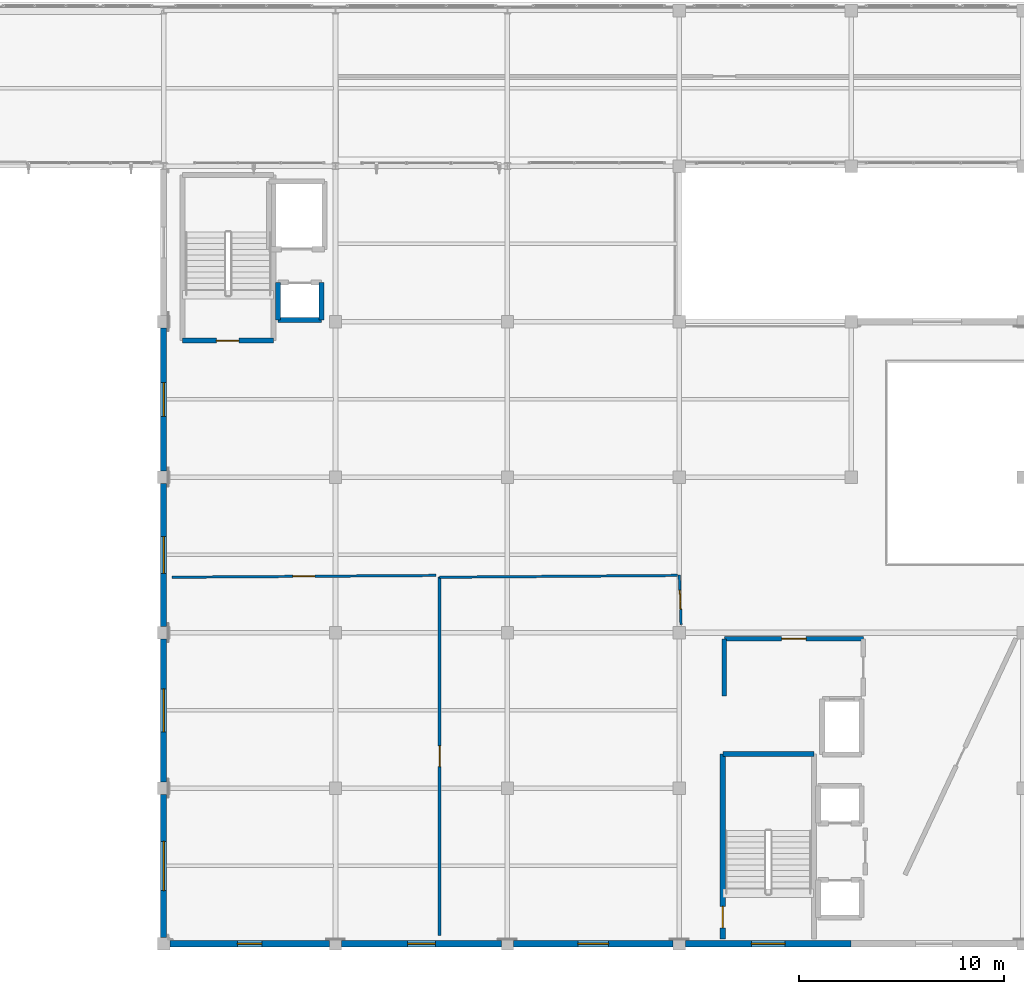
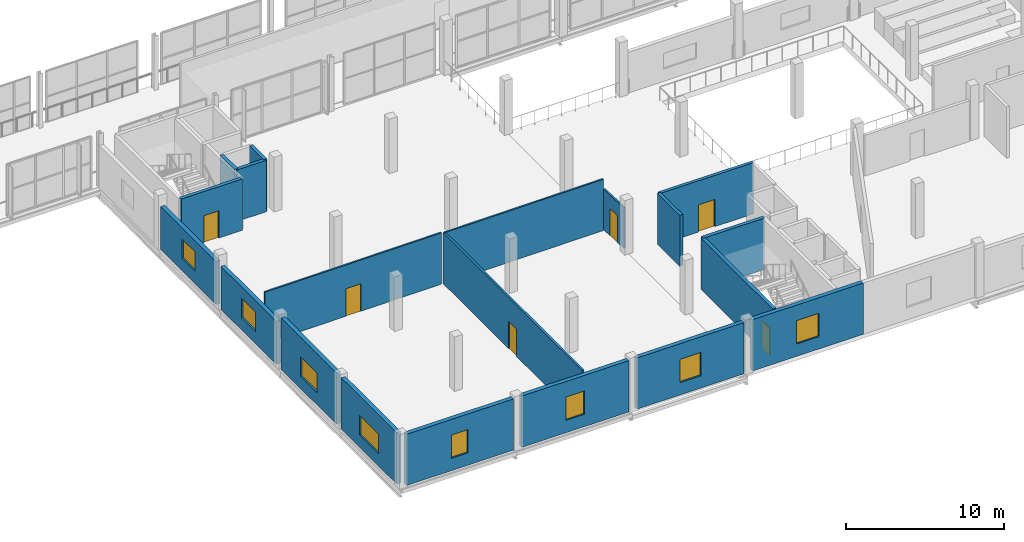
# One storey, part 126 of 151: 20 walls, 8 windows, 6 doors, 14 openings.
"""IFC4 building model written with IfcOpenShell, lengths in metres."""

from ifc_helpers import new_model, si_unit, direction, frame, frame_2d, origin, place, context, subcontext, project, spatial, rectangle, extrude, material, layer, layer_set, type_object, element, fill, save


model = new_model("IFC4")

# Units and contexts
model_context = context("Model", 3, precision=1e-05, world=origin(), true_north=direction((0.0, 1.0)))
body_context = subcontext(model_context, "Body", "Model", "MODEL_VIEW")
ifc_project = project(units=[si_unit("LENGTHUNIT", "METRE"), si_unit("AREAUNIT", "SQUARE_METRE"), si_unit("VOLUMEUNIT", "CUBIC_METRE"), si_unit("PLANEANGLEUNIT", "RADIAN"), si_unit("MASSUNIT", "GRAM", prefix="KILO")], contexts=[model_context])

# Site, building, storey
site_placement = place(None, origin())
site = spatial("IfcSite", under=ifc_project, at=site_placement, CompositionType="ELEMENT")
building_placement = place(site_placement, origin())
building = spatial("IfcBuilding", under=site, at=building_placement, Name="Zuvorla Pavilion Media Centre", CompositionType="ELEMENT")
storey_placement = place(building_placement, frame((0.0, 0.0, 13.800048828125)))
storey = spatial("IfcBuildingStorey", under=building, at=storey_placement, Name="L03", CompositionType="ELEMENT", Elevation=13.800048828125)

# Wall, opening, door
ifc_material_1 = material(Name="Acoustic masonry blockwork C32/40", Category="masonry")
ifc_layer_1 = layer(ifc_material_1, 0.219970703125)
ifc_layer_set_1 = layer_set([ifc_layer_1], Name="Acoustic masonry blockwork C32/40")
wall_type_1 = type_object("IfcWallType", Name="WL-CMP-220", PredefinedType="SOLIDWALL", material=ifc_layer_set_1)
wall_1_placement = place(storey_placement, frame((69.0, 20.89990234375, 0.0), z_axis=(0.0, 0.0, 1.0), x_axis=(1.0, 0.0, 0.0)))
wall_1 = element("IfcWall", 1, at=wall_1_placement, inside=storey, type_object=wall_type_1, Name="L03 solid wall IW22 36", PredefinedType="SOLIDWALL", context=body_context, shape_type="SweptSolid", body=[
    extrude(rectangle(XDim=6.800048828125, YDim=0.219970703125, at=frame_2d((3.39990234375, 0.0))), origin(), (0.0, 0.0, 1.0), 3.949951171875),
])
opening_1_placement = place(wall_1_placement, frame((2.800048828125, 0.0, 0.0)))
opening_1 = element("IfcOpeningElement", 2, at=opening_1_placement, cuts=wall_1, Name="Opening FD06", PredefinedType="OPENING", context=body_context, shape_type="SweptSolid", body=[
    extrude(rectangle(XDim=1.199951171875, YDim=2.10009765625, at=frame_2d((0.60009765625, 1.050048828125))), frame((0.0, 0.119873046875, 0.0), z_axis=(0.0, -1.0, 0.0), x_axis=(1.0, 0.0, 0.0)), (0.0, 0.0, 1.0), 0.239990234375),
])
ifc_material_2 = material(Name="Acoustic timber fire door leaf in steel frame", Category="steel")
door_type_1 = type_object("IfcDoorType", Name="DR-INT-FD06", OperationType="NOTDEFINED", PredefinedType="DOOR", material=ifc_material_2)
door_1_placement = place(opening_1_placement, origin())
door_1 = element("IfcDoor", 3, at=door_1_placement, inside=storey, type_object=door_type_1, Name="Firefighting lobby 1 door FD06 18", OperationType="SINGLE_SWING_LEFT", OverallHeight=2.10009765625, OverallWidth=1.199951171875, PredefinedType="DOOR", context=body_context, shape_type="SweptSolid", body=[
    extrude(rectangle(XDim=1.199951171875, YDim=2.10009765625, at=frame_2d((0.60009765625, 1.050048828125))), frame((0.0, 0.02490234375, 0.0), z_axis=(0.0, -1.0, 0.0), x_axis=(1.0, 0.0, 0.0)), (0.0, 0.0, 1.0), 0.050048828125),
])
fill(opening_1, door_1)

# Wall
wall_2_placement = place(storey_placement, frame((69.0, 18.10009765625, 0.0), z_axis=(0.0, 0.0, 1.0), x_axis=(0.0, 1.0, 0.0)))
element("IfcWall", 4, at=wall_2_placement, inside=storey, type_object=wall_type_1, Name="L03 solid wall IW22 37", PredefinedType="SOLIDWALL", context=body_context, shape_type="SweptSolid", body=[
    extrude(rectangle(XDim=2.7998046875, YDim=0.219970703125, at=frame_2d((1.39990234375, 0.0))), origin(), (0.0, 0.0, 1.0), 3.949951171875),
])

# Wall, opening, door
ifc_material_3 = material(Name="Concrete C40/50", Category="concrete")
ifc_layer_2 = layer(ifc_material_3, 0.25)
ifc_layer_set_2 = layer_set([ifc_layer_2], Name="Concrete C40/50")
wall_type_2 = type_object("IfcWallType", Name="WL-COR-250", PredefinedType="SHEAR", material=ifc_layer_set_2)
wall_3_placement = place(storey_placement, frame((68.925048828125, 6.22509765625, 0.0), z_axis=(0.0, 0.0, 1.0), x_axis=(0.0, 1.0, 0.0)))
wall_3 = element("IfcWall", 5, at=wall_3_placement, inside=storey, type_object=wall_type_2, Name="L03 shear wall CW25 33", PredefinedType="SHEAR", context=body_context, shape_type="SweptSolid", body=[
    extrude(rectangle(XDim=9.0498046875, YDim=0.25, at=frame_2d((4.52490234375, 0.0))), origin(), (0.0, 0.0, 1.0), 3.9599609375),
])
opening_2_placement = place(wall_3_placement, frame((0.550048828125, 0.0, 0.0)))
opening_2 = element("IfcOpeningElement", 6, at=opening_2_placement, cuts=wall_3, Name="Opening FD04", PredefinedType="OPENING", context=body_context, shape_type="SweptSolid", body=[
    extrude(rectangle(XDim=1.050048828125, YDim=2.10009765625, at=frame_2d((0.52490234375, 1.050048828125))), frame((0.0, 0.135009765625, 0.0), z_axis=(0.0, -1.0, 0.0), x_axis=(1.0, 0.0, 0.0)), (0.0, 0.0, 1.0), 0.27001953125),
])
door_type_2 = type_object("IfcDoorType", Name="DR-INT-FD04", OperationType="NOTDEFINED", PredefinedType="DOOR", material=ifc_material_2)
door_2_placement = place(opening_2_placement, origin())
door_2 = element("IfcDoor", 7, at=door_2_placement, inside=storey, type_object=door_type_2, Name="Stair ST-01 fire door FD04 17", OperationType="SINGLE_SWING_LEFT", OverallHeight=2.10009765625, OverallWidth=1.050048828125, PredefinedType="DOOR", context=body_context, shape_type="SweptSolid", body=[
    extrude(rectangle(XDim=1.050048828125, YDim=2.10009765625, at=frame_2d((0.52490234375, 1.050048828125))), frame((0.0, 0.02490234375, 0.0), z_axis=(0.0, -1.0, 0.0), x_axis=(1.0, 0.0, 0.0)), (0.0, 0.0, 1.0), 0.050048828125),
])
fill(opening_2, door_2)

# Wall
wall_4_placement = place(storey_placement, frame((68.925048828125, 15.27490234375, 0.0), z_axis=(0.0, 0.0, 1.0), x_axis=(1.0, 0.0, 0.0)))
element("IfcWall", 8, at=wall_4_placement, inside=storey, type_object=wall_type_2, Name="L03 shear wall CW25 35", PredefinedType="SHEAR", context=body_context, shape_type="SweptSolid", body=[
    extrude(rectangle(XDim=4.449951171875, YDim=0.25, at=frame_2d((2.22509765625, 0.0))), origin(), (0.0, 0.0, 1.0), 3.9599609375),
])

# Wall, opening, door
wall_5_placement = place(storey_placement, frame((42.52490234375, 35.47509765625, 0.0), z_axis=(0.0, 0.0, 1.0), x_axis=(1.0, 0.0, 0.0)))
wall_5 = element("IfcWall", 9, at=wall_5_placement, inside=storey, type_object=wall_type_2, Name="L03 shear wall CW25 256", PredefinedType="SHEAR", context=body_context, shape_type="SweptSolid", body=[
    extrude(rectangle(XDim=4.4501953125, YDim=0.25, at=frame_2d((2.22509765625, 0.0))), origin(), (0.0, 0.0, 1.0), 3.9599609375),
])
opening_3_placement = place(wall_5_placement, frame((1.64990234375, 0.0, 0.0)))
opening_3 = element("IfcOpeningElement", 10, at=opening_3_placement, cuts=wall_5, Name="Opening FD05", PredefinedType="OPENING", context=body_context, shape_type="SweptSolid", body=[
    extrude(rectangle(XDim=1.10009765625, YDim=2.10009765625, at=frame_2d((0.550048828125, 1.050048828125))), frame((0.0, 0.135009765625, 0.0), z_axis=(0.0, -1.0, 0.0), x_axis=(1.0, 0.0, 0.0)), (0.0, 0.0, 1.0), 0.27001953125),
])
door_type_3 = type_object("IfcDoorType", Name="DR-INT-FD05", OperationType="NOTDEFINED", PredefinedType="DOOR", material=ifc_material_2)
door_3_placement = place(opening_3_placement, frame((1.10009765625, 0.0, 0.0), z_axis=(0.0, 0.0, 1.0), x_axis=(-1.0, 0.0, 0.0)))
door_3 = element("IfcDoor", 11, at=door_3_placement, inside=storey, type_object=door_type_3, Name="Stair ST-03 fire door FD05 93", OperationType="SINGLE_SWING_RIGHT", OverallHeight=2.10009765625, OverallWidth=1.10009765625, PredefinedType="DOOR", context=body_context, shape_type="SweptSolid", body=[
    extrude(rectangle(XDim=1.10009765625, YDim=2.10009765625, at=frame_2d((0.550048828125, 1.050048828125))), frame((0.0, 0.02490234375, 0.0), z_axis=(0.0, -1.0, 0.0), x_axis=(1.0, 0.0, 0.0)), (0.0, 0.0, 1.0), 0.050048828125),
])
fill(opening_3, door_3)

# Walls
wall_6_placement = place(storey_placement, frame((47.18994140625, 36.489990234375, 0.0), z_axis=(0.0, 0.0, 1.0), x_axis=(1.0, 0.0, 0.0)))
element("IfcWall", 12, at=wall_6_placement, inside=storey, type_object=wall_type_2, Name="L03 shear wall CW25 277", PredefinedType="SHEAR", context=body_context, shape_type="SweptSolid", body=[
    extrude(rectangle(XDim=2.1201171875, YDim=0.25, at=frame_2d((1.06005859375, 0.0))), origin(), (0.0, 0.0, 1.0), 3.9599609375),
])
for number, where, z_axis, x_axis, name in (
    (13, (47.18994140625, 36.489990234375, 0.0), (0.0, 0.0, 1.0), (0.0, 1.0, 0.0), "L03 shear wall CW25 279"),
    (14, (49.31005859375, 36.489990234375, 0.0), (0.0, 0.0, 1.0), (0.0, 1.0, 0.0), "L03 shear wall CW25 280"),
):
    element("IfcWall", number, at=place(storey_placement, frame(where, z_axis=z_axis, x_axis=x_axis)), inside=storey, type_object=wall_type_2, Name=name, PredefinedType="SHEAR", context=body_context, shape_type="SweptSolid", body=[
        extrude(rectangle(XDim=1.820068359375, YDim=0.25, at=frame_2d((0.91015625, 0.0))), origin(), (0.0, 0.0, 1.0), 3.9599609375),
    ])

# Wall, opening, window
ifc_material_4 = material(Name="White rendered concrete C32/40", Category="concrete")
ifc_layer_3 = layer(ifc_material_4, 0.300048828125)
ifc_layer_set_3 = layer_set([ifc_layer_3], Name="White rendered concrete C32/40")
wall_type_3 = type_object("IfcWallType", Name="WL-EXT-300", PredefinedType="SOLIDWALL", material=ifc_layer_set_3)
wall_7_placement = place(storey_placement, frame((41.60009765625, 36.10009765625, 0.0), z_axis=(0.0, 0.0, 1.0), x_axis=(0.0, -1.0, 0.0)))
wall_7 = element("IfcWall", 15, at=wall_7_placement, inside=storey, type_object=wall_type_3, Name="L03 exterior solid wall EW03 238", PredefinedType="SOLIDWALL", context=body_context, shape_type="SweptSolid", body=[
    extrude(rectangle(XDim=7.0, YDim=0.300048828125, at=frame_2d((3.5, 0.0))), origin(), (0.0, 0.0, 1.0), 3.314697265625),
])
opening_4_placement = place(wall_7_placement, frame((2.675048828125, 0.0, 0.949951171875)))
opening_4 = element("IfcOpeningElement", 16, at=opening_4_placement, cuts=wall_7, Name="Opening WN04", PredefinedType="OPENING", context=body_context, shape_type="SweptSolid", body=[
    extrude(rectangle(XDim=1.64990234375, YDim=1.5, at=frame_2d((0.824951171875, 0.75))), frame((0.0, 0.159912109375, 0.0), z_axis=(0.0, -1.0, 0.0), x_axis=(1.0, 0.0, 0.0)), (0.0, 0.0, 1.0), 0.320068359375),
])
ifc_material_5 = material(Name="Anodised aluminium frame with solar double glazing", Category="aluminium")
window_type_1 = type_object("IfcWindowType", Name="WIN-WN04", PartitioningType="SINGLE_PANEL", PredefinedType="WINDOW", material=ifc_material_5)
window_1_placement = place(opening_4_placement, origin())
window_1 = element("IfcWindow", 17, at=window_1_placement, inside=storey, type_object=window_type_1, Name="L03 window WN04 88", OverallHeight=1.5, OverallWidth=1.64990234375, PartitioningType="SINGLE_PANEL", PredefinedType="WINDOW", context=body_context, shape_type="SweptSolid", body=[
    extrude(rectangle(XDim=1.64990234375, YDim=1.5, at=frame_2d((0.824951171875, 0.75))), frame((0.0, 0.030029296875, 0.0), z_axis=(0.0, -1.0, 0.0), x_axis=(1.0, 0.0, 0.0)), (0.0, 0.0, 1.0), 0.06005859375),
])
fill(opening_4, window_1)

wall_8_placement = place(storey_placement, frame((41.60009765625, 28.5, 0.0), z_axis=(0.0, 0.0, 1.0), x_axis=(0.0, -1.0, 0.0)))
wall_8 = element("IfcWall", 18, at=wall_8_placement, inside=storey, type_object=wall_type_3, Name="L03 exterior solid wall EW03 239", PredefinedType="SOLIDWALL", context=body_context, shape_type="SweptSolid", body=[
    extrude(rectangle(XDim=7.0, YDim=0.300048828125, at=frame_2d((3.5, 0.0))), origin(), (0.0, 0.0, 1.0), 3.314697265625),
])
opening_5_placement = place(wall_8_placement, frame((2.60009765625, 0.0, 0.949951171875)))
opening_5 = element("IfcOpeningElement", 19, at=opening_5_placement, cuts=wall_8, Name="Opening WN05", PredefinedType="OPENING", context=body_context, shape_type="SweptSolid", body=[
    extrude(rectangle(XDim=1.800048828125, YDim=1.5, at=frame_2d((0.89990234375, 0.75))), frame((0.0, 0.159912109375, 0.0), z_axis=(0.0, -1.0, 0.0), x_axis=(1.0, 0.0, 0.0)), (0.0, 0.0, 1.0), 0.320068359375),
])
window_type_2 = type_object("IfcWindowType", Name="WIN-WN05", PartitioningType="DOUBLE_PANEL_VERTICAL", PredefinedType="WINDOW", material=ifc_material_5)
window_2_placement = place(opening_5_placement, origin())
window_2 = element("IfcWindow", 20, at=window_2_placement, inside=storey, type_object=window_type_2, Name="L03 window WN05 89", OverallHeight=1.5, OverallWidth=1.800048828125, PartitioningType="DOUBLE_PANEL_VERTICAL", PredefinedType="WINDOW", context=body_context, shape_type="SweptSolid", body=[
    extrude(rectangle(XDim=1.800048828125, YDim=1.5, at=frame_2d((0.89990234375, 0.75))), frame((0.0, 0.030029296875, 0.0), z_axis=(0.0, -1.0, 0.0), x_axis=(1.0, 0.0, 0.0)), (0.0, 0.0, 1.0), 0.06005859375),
])
fill(opening_5, window_2)

wall_9_placement = place(storey_placement, frame((41.60009765625, 20.89990234375, 0.0), z_axis=(0.0, 0.0, 1.0), x_axis=(0.0, -1.0, 0.0)))
wall_9 = element("IfcWall", 21, at=wall_9_placement, inside=storey, type_object=wall_type_3, Name="L03 exterior solid wall EW03 240", PredefinedType="SOLIDWALL", context=body_context, shape_type="SweptSolid", body=[
    extrude(rectangle(XDim=7.0, YDim=0.300048828125, at=frame_2d((3.5, 0.0))), origin(), (0.0, 0.0, 1.0), 3.949951171875),
])
opening_6_placement = place(wall_9_placement, frame((2.449951171875, 0.0, 0.949951171875)))
opening_6 = element("IfcOpeningElement", 22, at=opening_6_placement, cuts=wall_9, Name="Opening WN06", PredefinedType="OPENING", context=body_context, shape_type="SweptSolid", body=[
    extrude(rectangle(XDim=2.10009765625, YDim=1.5, at=frame_2d((1.050048828125, 0.75))), frame((0.0, 0.159912109375, 0.0), z_axis=(0.0, -1.0, 0.0), x_axis=(1.0, 0.0, 0.0)), (0.0, 0.0, 1.0), 0.320068359375),
])
window_type_3 = type_object("IfcWindowType", Name="WIN-WN06", PartitioningType="DOUBLE_PANEL_VERTICAL", PredefinedType="WINDOW", material=ifc_material_5)
window_3_placement = place(opening_6_placement, origin())
window_3 = element("IfcWindow", 23, at=window_3_placement, inside=storey, type_object=window_type_3, Name="L03 window WN06 90", OverallHeight=1.5, OverallWidth=2.10009765625, PartitioningType="DOUBLE_PANEL_VERTICAL", PredefinedType="WINDOW", context=body_context, shape_type="SweptSolid", body=[
    extrude(rectangle(XDim=2.10009765625, YDim=1.5, at=frame_2d((1.050048828125, 0.75))), frame((0.0, 0.030029296875, 0.0), z_axis=(0.0, -1.0, 0.0), x_axis=(1.0, 0.0, 0.0)), (0.0, 0.0, 1.0), 0.06005859375),
])
fill(opening_6, window_3)

wall_10_placement = place(storey_placement, frame((41.60009765625, 13.300048828125, 0.0), z_axis=(0.0, 0.0, 1.0), x_axis=(0.0, -1.0, 0.0)))
wall_10 = element("IfcWall", 24, at=wall_10_placement, inside=storey, type_object=wall_type_3, Name="L03 exterior solid wall EW03 241", PredefinedType="SOLIDWALL", context=body_context, shape_type="SweptSolid", body=[
    extrude(rectangle(XDim=7.0, YDim=0.300048828125, at=frame_2d((3.5, 0.0))), origin(), (0.0, 0.0, 1.0), 3.949951171875),
])
opening_7_placement = place(wall_10_placement, frame((2.300048828125, 0.0, 0.949951171875)))
opening_7 = element("IfcOpeningElement", 25, at=opening_7_placement, cuts=wall_10, Name="Opening WN07", PredefinedType="OPENING", context=body_context, shape_type="SweptSolid", body=[
    extrude(rectangle(XDim=2.39990234375, YDim=1.5, at=frame_2d((1.199951171875, 0.75))), frame((0.0, 0.159912109375, 0.0), z_axis=(0.0, -1.0, 0.0), x_axis=(1.0, 0.0, 0.0)), (0.0, 0.0, 1.0), 0.320068359375),
])
window_type_4 = type_object("IfcWindowType", Name="WIN-WN07", PartitioningType="DOUBLE_PANEL_VERTICAL", PredefinedType="WINDOW", material=ifc_material_5)
window_4_placement = place(opening_7_placement, origin())
window_4 = element("IfcWindow", 26, at=window_4_placement, inside=storey, type_object=window_type_4, Name="L03 window WN07 91", OverallHeight=1.5, OverallWidth=2.39990234375, PartitioningType="DOUBLE_PANEL_VERTICAL", PredefinedType="WINDOW", context=body_context, shape_type="SweptSolid", body=[
    extrude(rectangle(XDim=2.39990234375, YDim=1.5, at=frame_2d((1.199951171875, 0.75))), frame((0.0, 0.030029296875, 0.0), z_axis=(0.0, -1.0, 0.0), x_axis=(1.0, 0.0, 0.0)), (0.0, 0.0, 1.0), 0.06005859375),
])
fill(opening_7, window_4)

wall_11_placement = place(storey_placement, frame((41.89990234375, 6.0, 0.0), z_axis=(0.0, 0.0, 1.0), x_axis=(1.0, 0.0, 0.0)))
wall_11 = element("IfcWall", 27, at=wall_11_placement, inside=storey, type_object=wall_type_3, Name="L03 exterior solid wall EW03 242", PredefinedType="SOLIDWALL", context=body_context, shape_type="SweptSolid", body=[
    extrude(rectangle(XDim=7.800048828125, YDim=0.300048828125, at=frame_2d((3.89990234375, 0.0))), origin(), (0.0, 0.0, 1.0), 3.949951171875),
])
opening_8_placement = place(wall_11_placement, frame((3.300048828125, 0.0, 0.949951171875)))
opening_8 = element("IfcOpeningElement", 28, at=opening_8_placement, cuts=wall_11, Name="Opening WN08", PredefinedType="OPENING", context=body_context, shape_type="SweptSolid", body=[
    extrude(rectangle(XDim=1.199951171875, YDim=1.800048828125, at=frame_2d((0.60009765625, 0.89990234375))), frame((0.0, 0.159912109375, 0.0), z_axis=(0.0, -1.0, 0.0), x_axis=(1.0, 0.0, 0.0)), (0.0, 0.0, 1.0), 0.320068359375),
])
window_type_5 = type_object("IfcWindowType", Name="WIN-WN08", PartitioningType="SINGLE_PANEL", PredefinedType="WINDOW", material=ifc_material_5)
window_5_placement = place(opening_8_placement, origin())
window_5 = element("IfcWindow", 29, at=window_5_placement, inside=storey, type_object=window_type_5, Name="L03 window WN08 92", OverallHeight=1.800048828125, OverallWidth=1.199951171875, PartitioningType="SINGLE_PANEL", PredefinedType="WINDOW", context=body_context, shape_type="SweptSolid", body=[
    extrude(rectangle(XDim=1.199951171875, YDim=1.800048828125, at=frame_2d((0.60009765625, 0.89990234375))), frame((0.0, 0.030029296875, 0.0), z_axis=(0.0, -1.0, 0.0), x_axis=(1.0, 0.0, 0.0)), (0.0, 0.0, 1.0), 0.06005859375),
])
fill(opening_8, window_5)

wall_12_placement = place(storey_placement, frame((50.300048828125, 6.0, 0.0), z_axis=(0.0, 0.0, 1.0), x_axis=(1.0, 0.0, 0.0)))
wall_12 = element("IfcWall", 30, at=wall_12_placement, inside=storey, type_object=wall_type_3, Name="L03 exterior solid wall EW03 243", PredefinedType="SOLIDWALL", context=body_context, shape_type="SweptSolid", body=[
    extrude(rectangle(XDim=7.800048828125, YDim=0.300048828125, at=frame_2d((3.89990234375, 0.0))), origin(), (0.0, 0.0, 1.0), 3.949951171875),
])
opening_9_placement = place(wall_12_placement, frame((3.22509765625, 0.0, 0.949951171875)))
opening_9 = element("IfcOpeningElement", 31, at=opening_9_placement, cuts=wall_12, Name="Opening WN09", PredefinedType="OPENING", context=body_context, shape_type="SweptSolid", body=[
    extrude(rectangle(XDim=1.35009765625, YDim=1.800048828125, at=frame_2d((0.675048828125, 0.89990234375))), frame((0.0, 0.159912109375, 0.0), z_axis=(0.0, -1.0, 0.0), x_axis=(1.0, 0.0, 0.0)), (0.0, 0.0, 1.0), 0.320068359375),
])
window_type_6 = type_object("IfcWindowType", Name="WIN-WN09", PartitioningType="SINGLE_PANEL", PredefinedType="WINDOW", material=ifc_material_5)
window_6_placement = place(opening_9_placement, origin())
window_6 = element("IfcWindow", 32, at=window_6_placement, inside=storey, type_object=window_type_6, Name="L03 window WN09 93", OverallHeight=1.800048828125, OverallWidth=1.35009765625, PartitioningType="SINGLE_PANEL", PredefinedType="WINDOW", context=body_context, shape_type="SweptSolid", body=[
    extrude(rectangle(XDim=1.35009765625, YDim=1.800048828125, at=frame_2d((0.675048828125, 0.89990234375))), frame((0.0, 0.030029296875, 0.0), z_axis=(0.0, -1.0, 0.0), x_axis=(1.0, 0.0, 0.0)), (0.0, 0.0, 1.0), 0.06005859375),
])
fill(opening_9, window_6)

wall_13_placement = place(storey_placement, frame((58.699951171875, 6.0, 0.0), z_axis=(0.0, 0.0, 1.0), x_axis=(1.0, 0.0, 0.0)))
wall_13 = element("IfcWall", 33, at=wall_13_placement, inside=storey, type_object=wall_type_3, Name="L03 exterior solid wall EW03 244", PredefinedType="SOLIDWALL", context=body_context, shape_type="SweptSolid", body=[
    extrude(rectangle(XDim=7.800048828125, YDim=0.300048828125, at=frame_2d((3.89990234375, 0.0))), origin(), (0.0, 0.0, 1.0), 3.949951171875),
])
opening_10_placement = place(wall_13_placement, frame((3.14990234375, 0.0, 0.949951171875)))
opening_10 = element("IfcOpeningElement", 34, at=opening_10_placement, cuts=wall_13, Name="Opening WN10", PredefinedType="OPENING", context=body_context, shape_type="SweptSolid", body=[
    extrude(rectangle(XDim=1.5, YDim=1.800048828125, at=frame_2d((0.75, 0.89990234375))), frame((0.0, 0.159912109375, 0.0), z_axis=(0.0, -1.0, 0.0), x_axis=(1.0, 0.0, 0.0)), (0.0, 0.0, 1.0), 0.320068359375),
])
window_type_7 = type_object("IfcWindowType", Name="WIN-WN10", PartitioningType="SINGLE_PANEL", PredefinedType="WINDOW", material=ifc_material_5)
window_7_placement = place(opening_10_placement, origin())
window_7 = element("IfcWindow", 35, at=window_7_placement, inside=storey, type_object=window_type_7, Name="L03 window WN10 94", OverallHeight=1.800048828125, OverallWidth=1.5, PartitioningType="SINGLE_PANEL", PredefinedType="WINDOW", context=body_context, shape_type="SweptSolid", body=[
    extrude(rectangle(XDim=1.5, YDim=1.800048828125, at=frame_2d((0.75, 0.89990234375))), frame((0.0, 0.030029296875, 0.0), z_axis=(0.0, -1.0, 0.0), x_axis=(1.0, 0.0, 0.0)), (0.0, 0.0, 1.0), 0.06005859375),
])
fill(opening_10, window_7)

wall_14_placement = place(storey_placement, frame((67.10009765625, 6.0, 0.0), z_axis=(0.0, 0.0, 1.0), x_axis=(1.0, 0.0, 0.0)))
wall_14 = element("IfcWall", 36, at=wall_14_placement, inside=storey, type_object=wall_type_3, Name="L03 exterior solid wall EW03 245", PredefinedType="SOLIDWALL", context=body_context, shape_type="SweptSolid", body=[
    extrude(rectangle(XDim=8.099853515625, YDim=0.300048828125, at=frame_2d((4.0498046875, 0.0))), origin(), (0.0, 0.0, 1.0), 3.949951171875),
])
opening_11_placement = place(wall_14_placement, frame((3.22509765625, 0.0, 0.949951171875)))
opening_11 = element("IfcOpeningElement", 37, at=opening_11_placement, cuts=wall_14, Name="Opening WN11", PredefinedType="OPENING", context=body_context, shape_type="SweptSolid", body=[
    extrude(rectangle(XDim=1.64990234375, YDim=1.800048828125, at=frame_2d((0.824951171875, 0.89990234375))), frame((0.0, 0.159912109375, 0.0), z_axis=(0.0, -1.0, 0.0), x_axis=(1.0, 0.0, 0.0)), (0.0, 0.0, 1.0), 0.320068359375),
])
window_type_8 = type_object("IfcWindowType", Name="WIN-WN11", PartitioningType="SINGLE_PANEL", PredefinedType="WINDOW", material=ifc_material_5)
window_8_placement = place(opening_11_placement, origin())
window_8 = element("IfcWindow", 38, at=window_8_placement, inside=storey, type_object=window_type_8, Name="L03 window WN11 95", OverallHeight=1.800048828125, OverallWidth=1.64990234375, PartitioningType="SINGLE_PANEL", PredefinedType="WINDOW", context=body_context, shape_type="SweptSolid", body=[
    extrude(rectangle(XDim=1.64990234375, YDim=1.800048828125, at=frame_2d((0.824951171875, 0.89990234375))), frame((0.0, 0.030029296875, 0.0), z_axis=(0.0, -1.0, 0.0), x_axis=(1.0, 0.0, 0.0)), (0.0, 0.0, 1.0), 0.06005859375),
])
fill(opening_11, window_8)

# Wall, opening, door
ifc_material_6 = material(Name="Lightweight gypsum partition")
ifc_layer_4 = layer(ifc_material_6, 0.1201171875)
ifc_layer_set_4 = layer_set([ifc_layer_4], Name="Lightweight gypsum partition")
wall_type_4 = type_object("IfcWallType", Name="WL-PRT-120", PredefinedType="PARTITIONING", material=ifc_layer_set_4)
wall_15_placement = place(storey_placement, frame((66.88720703125, 21.590087890625, 0.0), z_axis=(0.0, 0.0, 1.0), x_axis=(-0.03474937555, 0.999396058077, 0.0)))
wall_15 = element("IfcWall", 39, at=wall_15_placement, inside=storey, type_object=wall_type_4, Name="L03 partition PT12 524", PredefinedType="PARTITIONING", context=body_context, shape_type="SweptSolid", body=[
    extrude(rectangle(XDim=2.430908203125, YDim=0.1201171875, at=frame_2d((1.21533203125, 0.0))), origin(), (0.0, 0.0, 1.0), 3.134765625),
])
opening_12_placement = place(wall_15_placement, frame((0.755615234375, 0.0, 0.0)))
opening_12 = element("IfcOpeningElement", 40, at=opening_12_placement, cuts=wall_15, Name="Opening ID02", PredefinedType="OPENING", context=body_context, shape_type="SweptSolid", body=[
    extrude(rectangle(XDim=0.919921875, YDim=2.080078125, at=frame_2d((0.4599609375, 1.0400390625))), frame((0.0, 0.070068359375, 0.0), z_axis=(0.0, -1.0, 0.0), x_axis=(1.0, 0.0, 0.0)), (0.0, 0.0, 1.0), 0.14013671875),
])
ifc_material_7 = material(Name="Hardwood acoustic studio door in anodised frame", Category="wood")
door_type_4 = type_object("IfcDoorType", Name="DR-UNR-ID02", OperationType="NOTDEFINED", PredefinedType="DOOR", material=ifc_material_7)
door_4_placement = place(opening_12_placement, origin())
door_4 = element("IfcDoor", 41, at=door_4_placement, inside=storey, type_object=door_type_4, Name="Interior door ID02 224", OperationType="SINGLE_SWING_LEFT", OverallHeight=2.080078125, OverallWidth=0.919921875, PredefinedType="DOOR", context=body_context, shape_type="SweptSolid", body=[
    extrude(rectangle(XDim=0.919921875, YDim=2.080078125, at=frame_2d((0.4599609375, 1.0400390625))), frame((0.0, 0.02490234375, 0.0), z_axis=(0.0, -1.0, 0.0), x_axis=(1.0, 0.0, 0.0)), (0.0, 0.0, 1.0), 0.050048828125),
])
fill(opening_12, door_4)

wall_16_placement = place(storey_placement, frame((42.0, 23.909912109375, 0.0), z_axis=(0.0, 0.0, 1.0), x_axis=(0.999975916479, 0.006940206156, 0.0)))
wall_16 = element("IfcWall", 42, at=wall_16_placement, inside=storey, type_object=wall_type_4, Name="L03 partition PT12 537", PredefinedType="PARTITIONING", context=body_context, shape_type="SweptSolid", body=[
    extrude(rectangle(XDim=12.91015625, YDim=0.1201171875, at=frame_2d((6.455078125, 0.0))), origin(), (0.0, 0.0, 1.0), 3.949951171875),
])
opening_13_placement = place(wall_16_placement, frame((5.915283203125, 0.0, 0.0)))
opening_13 = element("IfcOpeningElement", 43, at=opening_13_placement, cuts=wall_16, Name="Opening ID05", PredefinedType="OPENING", context=body_context, shape_type="SweptSolid", body=[
    extrude(rectangle(XDim=1.080078125, YDim=2.1201171875, at=frame_2d((0.5400390625, 1.06005859375))), frame((0.0, 0.070068359375, 0.0), z_axis=(0.0, -1.0, 0.0), x_axis=(1.0, 0.0, 0.0)), (0.0, 0.0, 1.0), 0.14013671875),
])
door_type_5 = type_object("IfcDoorType", Name="DR-UNR-ID05", OperationType="NOTDEFINED", PredefinedType="DOOR", material=ifc_material_7)
door_5_placement = place(opening_13_placement, origin())
door_5 = element("IfcDoor", 44, at=door_5_placement, inside=storey, type_object=door_type_5, Name="Interior door ID05 237", OperationType="SINGLE_SWING_RIGHT", OverallHeight=2.1201171875, OverallWidth=1.080078125, PredefinedType="DOOR", context=body_context, shape_type="SweptSolid", body=[
    extrude(rectangle(XDim=1.080078125, YDim=2.1201171875, at=frame_2d((0.5400390625, 1.06005859375))), frame((0.0, 0.02490234375, 0.0), z_axis=(0.0, -1.0, 0.0), x_axis=(1.0, 0.0, 0.0)), (0.0, 0.0, 1.0), 0.050048828125),
])
fill(opening_13, door_5)

# Wall
wall_17_placement = place(storey_placement, frame((55.080078125, 23.909423828125, 0.0), z_axis=(0.0, 0.0, 1.0), x_axis=(0.999969999215, 0.007746009944, 0.0)))
element("IfcWall", 45, at=wall_17_placement, inside=storey, type_object=wall_type_4, Name="L03 partition PT12 542", PredefinedType="PARTITIONING", context=body_context, shape_type="SweptSolid", body=[
    extrude(rectangle(XDim=11.630126953125, YDim=0.1201171875, at=frame_2d((5.81494140625, 0.0))), origin(), (0.0, 0.0, 1.0), 3.949951171875),
])

# Wall, opening, door
ifc_material_8 = material(Name="Acoustic gypsum stud partition")
ifc_layer_5 = layer(ifc_material_8, 0.14990234375)
ifc_layer_set_5 = layer_set([ifc_layer_5], Name="Acoustic gypsum stud partition")
wall_type_5 = type_object("IfcWallType", Name="WL-PRT-150", PredefinedType="PARTITIONING", material=ifc_layer_set_5)
wall_18_placement = place(storey_placement, frame((55.090087890625, 6.39990234375, 0.0), z_axis=(0.0, 0.0, 1.0), x_axis=(0.0, 1.0, 0.0)))
wall_18 = element("IfcWall", 46, at=wall_18_placement, inside=storey, type_object=wall_type_5, Name="L03 partition PT15 536", PredefinedType="PARTITIONING", context=body_context, shape_type="SweptSolid", body=[
    extrude(rectangle(XDim=17.52001953125, YDim=0.14990234375, at=frame_2d((8.760009765625, 0.0))), origin(), (0.0, 0.0, 1.0), 3.949951171875),
])
opening_14_placement = place(wall_18_placement, frame((8.25, 0.0, 0.0)))
opening_14 = element("IfcOpeningElement", 47, at=opening_14_placement, cuts=wall_18, Name="Opening ID04", PredefinedType="OPENING", context=body_context, shape_type="SweptSolid", body=[
    extrude(rectangle(XDim=1.02001953125, YDim=2.1201171875, at=frame_2d((0.510009765625, 1.06005859375))), frame((0.0, 0.0849609375, 0.0), z_axis=(0.0, -1.0, 0.0), x_axis=(1.0, 0.0, 0.0)), (0.0, 0.0, 1.0), 0.169921875),
])
door_type_6 = type_object("IfcDoorType", Name="DR-UNR-ID04", OperationType="NOTDEFINED", PredefinedType="DOOR", material=ifc_material_7)
door_6_placement = place(opening_14_placement, origin())
door_6 = element("IfcDoor", 48, at=door_6_placement, inside=storey, type_object=door_type_6, Name="Interior door ID04 236", OperationType="SINGLE_SWING_LEFT", OverallHeight=2.1201171875, OverallWidth=1.02001953125, PredefinedType="DOOR", context=body_context, shape_type="SweptSolid", body=[
    extrude(rectangle(XDim=1.02001953125, YDim=2.1201171875, at=frame_2d((0.510009765625, 1.06005859375))), frame((0.0, 0.02490234375, 0.0), z_axis=(0.0, -1.0, 0.0), x_axis=(1.0, 0.0, 0.0)), (0.0, 0.0, 1.0), 0.050048828125),
])
fill(opening_14, door_6)

save(model, "model.ifc")
